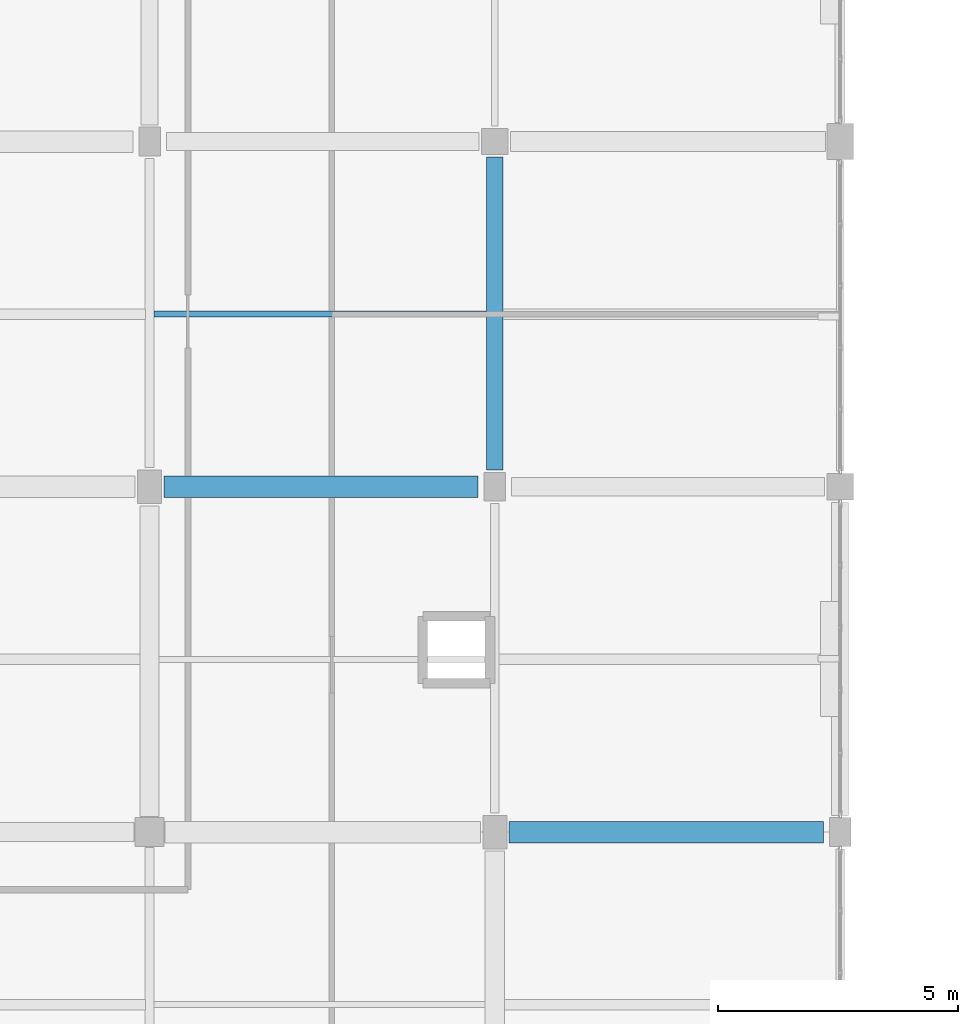
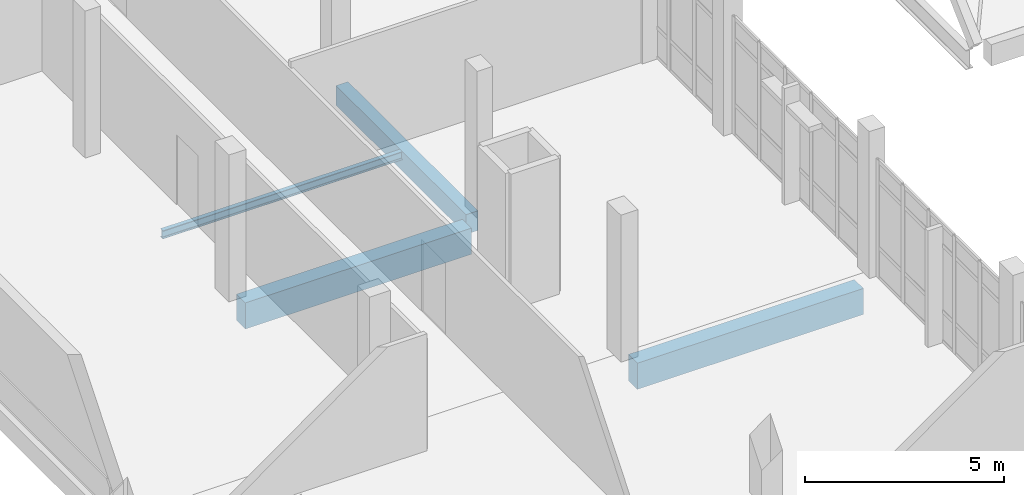
# One storey, part 20 of 87: 4 beams.
"""IFC4 building model written with IfcOpenShell, lengths in metres."""

import ifcopenshell
import ifcopenshell.guid

model = None  # the IFC model being written
_history = None  # IfcOwnerHistory: only IFC2X3 demands one
_inside = {}  # id of a spatial element -> (the spatial element, [elements in it])
_under = {}  # id of a project, library or spatial element -> (it, [spatial elements below it])
_declared = {}  # id of a project -> (the project, [libraries it declares])
_typed = {}  # id of a type object -> (the type object, [elements of that type])
_made_of = {}  # id of a material, layer set ... -> (it, [elements and type objects made of it])


def new_model(schema):
    """Start an empty IFC model of exactly this schema.

    Asked for "IFC4X3", IfcOpenShell would pick the latest addendum, in which some entities
    have other attributes; the version numbers below select the first issue.
    IFC2X3 requires an IfcOwnerHistory on every rooted entity: one is made here for all.
    """
    global model, _history
    if schema == "IFC4X3":
        model = ifcopenshell.file(schema_version=(4, 3, 0, 0))
    else:
        model = ifcopenshell.file(schema=schema)
    _inside.clear()
    _under.clear()
    _declared.clear()
    _typed.clear()
    _made_of.clear()
    _history = None
    if model.schema == "IFC2X3":
        org = make("IfcOrganization", Name="unknown")
        user = make(
            "IfcPersonAndOrganization",
            ThePerson=make("IfcPerson", FamilyName="unknown"),
            TheOrganization=org,
        )
        app = make(
            "IfcApplication",
            ApplicationDeveloper=org,
            Version="unknown",
            ApplicationFullName="unknown",
            ApplicationIdentifier="unknown",
        )
        _history = make(
            "IfcOwnerHistory",
            OwningUser=user,
            OwningApplication=app,
            ChangeAction="ADDED",
            CreationDate=0,
        )
    return model


def make(cls, **values):
    """One entity of the class cls with the attributes given. An attribute that is None is left unset."""
    return model.create_entity(
        cls, **{name: value for name, value in values.items() if value is not None}
    )


def rooted(cls, **values):
    """An entity with a GlobalId (a new one), such as an element, a storey or a relation."""
    return make(cls, GlobalId=ifcopenshell.guid.new(), OwnerHistory=_history, **values)


def si_unit(unit_type, name, prefix=None):
    """IfcSIUnit, for example si_unit("LENGTHUNIT", "METRE", prefix="MILLI")."""
    return make("IfcSIUnit", UnitType=unit_type, Prefix=prefix, Name=name)


def assignment(units):
    """IfcUnitAssignment: the units of a project."""
    return None if units is None else make("IfcUnitAssignment", Units=units)


def point(xyz):
    """IfcCartesianPoint."""
    return None if xyz is None else make("IfcCartesianPoint", Coordinates=xyz)


def direction(xyz):
    """IfcDirection."""
    return None if xyz is None else make("IfcDirection", DirectionRatios=xyz)


def frame(location, z_axis=None, x_axis=None):
    """IfcAxis2Placement3D, a coordinate frame: its origin and axes. An axis left out is left unset."""
    return make(
        "IfcAxis2Placement3D",
        Location=point(location),
        Axis=direction(z_axis),
        RefDirection=direction(x_axis),
    )


def frame_2d(location, x_axis=None):
    """IfcAxis2Placement2D, a coordinate frame in the plane: its origin and x axis."""
    return make(
        "IfcAxis2Placement2D", Location=point(location), RefDirection=direction(x_axis)
    )


def origin():
    """The frame at (0, 0, 0) with its axes left unset."""
    return frame((0.0, 0.0, 0.0))


def origin_2d():
    """The frame at (0, 0) in the plane with its x axis left unset."""
    return frame_2d((0.0, 0.0))


def place(relative_to, where):
    """IfcLocalPlacement: puts the frame where relative to a parent placement (None: the world)."""
    return make(
        "IfcLocalPlacement", PlacementRelTo=relative_to, RelativePlacement=where
    )


def context(
    kind, dimensions, precision=None, world=None, true_north=None, identifier=None
):
    """IfcGeometricRepresentationContext, for example the 3D "Model" context."""
    return make(
        "IfcGeometricRepresentationContext",
        ContextIdentifier=identifier,
        ContextType=kind,
        CoordinateSpaceDimension=dimensions,
        Precision=precision,
        WorldCoordinateSystem=world,
        TrueNorth=true_north,
    )


def subcontext(parent, identifier, kind, view, scale=None):
    """IfcGeometricRepresentationSubContext, for example "Body" below "Model"."""
    return make(
        "IfcGeometricRepresentationSubContext",
        ContextIdentifier=identifier,
        ContextType=kind,
        ParentContext=parent,
        TargetScale=scale,
        TargetView=view,
    )


def project(units=None, contexts=None):
    """IfcProject with its units and contexts."""
    return rooted(
        "IfcProject",
        Name="project",
        RepresentationContexts=contexts,
        UnitsInContext=assignment(units),
    )


def spatial(cls, under=None, at=None, **own):
    """A site, building, storey or space (cls), placed at a placement, below another one or the project."""
    s = rooted(cls, ObjectPlacement=at, **own)
    if under is not None:
        _under.setdefault(under.id(), (under, []))[1].append(s)
    return s


def profile(cls, at=None, kind="AREA", **sizes):
    """A parametric profile (cls). Its sizes go by their IFC names, for example OverallWidth=200.0."""
    return make(cls, ProfileType=kind, Position=at, **sizes)


def rectangle(**sizes):
    """IfcRectangleProfileDef."""
    return profile("IfcRectangleProfileDef", **sizes)


def i_section(**sizes):
    """IfcIShapeProfileDef."""
    return profile("IfcIShapeProfileDef", **sizes)


def extrude(swept, where, along, depth):
    """IfcExtrudedAreaSolid: the profile swept, set in the frame where, extruded along a direction by depth."""
    return make(
        "IfcExtrudedAreaSolid",
        SweptArea=swept,
        Position=where,
        ExtrudedDirection=direction(along),
        Depth=depth,
    )


def shape(context_of_items, identifier, shape_type, items):
    """IfcShapeRepresentation: the items that make up one representation, for example the "Body"."""
    return make(
        "IfcShapeRepresentation",
        ContextOfItems=context_of_items,
        RepresentationIdentifier=identifier,
        RepresentationType=shape_type,
        Items=items,
    )


def material(Name=None, Category=None):
    """IfcMaterial."""
    return make("IfcMaterial", Name=Name, Category=Category)


def material_profile(
    of_material, cross_section, Name=None, Category=None, Priority=None
):
    """IfcMaterialProfile: a cross section and its material."""
    return make(
        "IfcMaterialProfile",
        Name=Name,
        Material=of_material,
        Profile=cross_section,
        Priority=Priority,
        Category=Category,
    )


def profile_set(profiles, Name=None, composite=None):
    """IfcMaterialProfileSet."""
    return make(
        "IfcMaterialProfileSet",
        Name=Name,
        MaterialProfiles=profiles,
        CompositeProfile=composite,
    )


def made_of(thing, what):
    """Note that an element or type object is made of a material, layer set ...; save() writes the relation."""
    if what is not None:
        _made_of.setdefault(what.id(), (what, []))[1].append(thing)
    return thing


def type_object(cls, material=None, **own):
    """A type object (cls), such as IfcWallType, which elements share."""
    return made_of(rooted(cls, **own), material)


def element(
    cls,
    number,
    at=None,
    inside=None,
    cuts=None,
    type_object=None,
    material=None,
    context=None,
    identifier="Body",
    shape_type=None,
    held_by="IfcProductDefinitionShape",
    body=None,
    shapes=None,
    **own,
):
    """One element of the class cls, such as IfcWall. Its Tag is "e" and its number.

    at: its placement. inside: the storey or other place that contains it. cuts: it is an
    opening in that element (IfcRelVoidsElement). A single representation is given by context,
    identifier, shape_type and body (its items); several are given by shapes. held_by: the class
    of the entity that holds the representations. save() writes the other relations.
    """
    e = rooted(cls, Tag="e%d" % number, ObjectPlacement=at, **own)
    if body is not None:
        shapes = [shape(context, identifier, shape_type, body)]
    if shapes is not None:
        e.Representation = make(held_by, Representations=shapes)
    if inside is not None:
        _inside.setdefault(inside.id(), (inside, []))[1].append(e)
    if cuts is not None:
        rooted(
            "IfcRelVoidsElement", RelatingBuildingElement=cuts, RelatedOpeningElement=e
        )
    if type_object is not None:
        _typed.setdefault(type_object.id(), (type_object, []))[1].append(e)
    return made_of(e, material)


def aggregate(whole, parts):
    """IfcRelAggregates: a whole, such as a stair, and the parts it consists of."""
    return rooted("IfcRelAggregates", RelatingObject=whole, RelatedObjects=parts)


def save(model, path):
    """Write the relations noted so far, then the file.

    IfcRelAggregates (storeys below a building ...), IfcRelContainedInSpatialStructure (elements
    in a storey), IfcRelDefinesByType, IfcRelAssociatesMaterial and IfcRelDeclares: one each for
    every whole, place, type object, material and project.
    """
    for whole, parts in _under.values():
        aggregate(whole, parts)
    for where, things in _inside.values():
        rooted(
            "IfcRelContainedInSpatialStructure",
            RelatedElements=things,
            RelatingStructure=where,
        )
    for kind, things in _typed.values():
        rooted("IfcRelDefinesByType", RelatedObjects=things, RelatingType=kind)
    for what, things in _made_of.values():
        rooted("IfcRelAssociatesMaterial", RelatedObjects=things, RelatingMaterial=what)
    for by, libraries in _declared.values():
        rooted("IfcRelDeclares", RelatingContext=by, RelatedDefinitions=libraries)
    model.write(path)


model = new_model("IFC4")

# Units and contexts
model_context = context("Model", 3, precision=1e-05, world=origin(), true_north=direction((0.0, 1.0)))
body_context = subcontext(model_context, "Body", "Model", "MODEL_VIEW")
ifc_project = project(units=[si_unit("LENGTHUNIT", "METRE"), si_unit("AREAUNIT", "SQUARE_METRE"), si_unit("VOLUMEUNIT", "CUBIC_METRE"), si_unit("PLANEANGLEUNIT", "RADIAN"), si_unit("MASSUNIT", "GRAM", prefix="KILO")], contexts=[model_context])

# Site, building, storey
site_placement = place(None, origin())
site = spatial("IfcSite", under=ifc_project, at=site_placement, CompositionType="ELEMENT")
building_placement = place(site_placement, origin())
building = spatial("IfcBuilding", under=site, at=building_placement, Name="Kalluvel Institute of Natural Sciences", CompositionType="ELEMENT")
storey_placement = place(building_placement, frame((0.0, 0.0, 18.89990234375)))
storey = spatial("IfcBuildingStorey", under=building, at=storey_placement, Name="L04", CompositionType="ELEMENT", Elevation=18.89990234375)

# Beams
ifc_material_1 = material(Name="Concrete M40", Category="concrete")
ifc_material_profile_1 = material_profile(ifc_material_1, rectangle(XDim=0.35009765625, YDim=0.60009765625, at=origin_2d()), Name="RCB 350x600")
ifc_profile_set_1 = profile_set([ifc_material_profile_1], Name="Concrete M40")
beam_type_1 = type_object("IfcBeamType", Name="BM-RC350x600", PredefinedType="BEAM", material=ifc_profile_set_1)
beam_1_placement = place(storey_placement, frame((28.39990234375, 71.949951171875, -0.599853515625), z_axis=(0.0, 1.0, 0.0), x_axis=(-1.0, 0.0, 0.0)))
element("IfcBeam", 1, at=beam_1_placement, inside=storey, type_object=beam_type_1, Name="L04 girder GIR-L04-NS-X284-Y716", PredefinedType="BEAM", context=body_context, shape_type="SweptSolid", body=[
    extrude(rectangle(XDim=0.35009765625, YDim=0.60009765625, at=origin_2d()), origin(), (0.0, 0.0, 1.0), 6.525146484375),
])
ifc_material_profile_2 = material_profile(ifc_material_1, rectangle(XDim=0.449951171875, YDim=0.800048828125, at=origin_2d()), Name="RCB 450x800")
ifc_profile_set_2 = profile_set([ifc_material_profile_2], Name="Concrete M40")
beam_type_2 = type_object("IfcBeamType", Name="BM-RC450x800", PredefinedType="BEAM", material=ifc_profile_set_2)
for number, where, z_axis, x_axis, name in (
    (2, (28.699951171875, 64.39990234375, -0.699951171875), (1.0, 0.0, 0.0), (0.0, 1.0, 0.0), "L04 girder GIR-L04-EW-X284-Y644"),
    (3, (21.5, 71.60009765625, -0.699951171875), (1.0, 0.0, 0.0), (0.0, 1.0, 0.0), "L04 girder GIR-L04-EW-X212-Y716"),
):
    element("IfcBeam", number, at=place(storey_placement, frame(where, z_axis=z_axis, x_axis=x_axis)), inside=storey, type_object=beam_type_2, Name=name, PredefinedType="BEAM", context=body_context, shape_type="SweptSolid", body=[
        extrude(rectangle(XDim=0.449951171875, YDim=0.800048828125, at=origin_2d()), origin(), (0.0, 0.0, 1.0), 6.550048828125),
    ])
ifc_material_2 = material(Name="Steel E350 Grade 350", Category="steel")
ifc_material_profile_3 = material_profile(ifc_material_2, i_section(OverallWidth=0.125, OverallDepth=0.25, WebThickness=0.0068359375, FlangeThickness=0.012451171875, FilletRadius=0.012939453125, at=origin_2d()), Name="ISMB 250")
ifc_profile_set_3 = profile_set([ifc_material_profile_3], Name="Steel E350 Grade 350")
beam_type_3 = type_object("IfcBeamType", Name="WJ-ISMB250", PredefinedType="JOIST", material=ifc_profile_set_3)
beam_2_placement = place(storey_placement, frame((21.2900390625, 75.199951171875, -0.4248046875), z_axis=(1.0, 0.0, 0.0), x_axis=(0.0, 1.0, 0.0)))
element("IfcBeam", 4, at=beam_2_placement, inside=storey, type_object=beam_type_3, Name="L04 floor rib RIB-L04-0729", PredefinedType="JOIST", context=body_context, shape_type="SweptSolid", body=[
    extrude(i_section(OverallWidth=0.125, OverallDepth=0.25, WebThickness=0.0068359375, FlangeThickness=0.012451171875, FilletRadius=0.012939453125, at=origin_2d()), origin(), (0.0, 0.0, 1.0), 6.93505859375),
])

save(model, "model.ifc")
